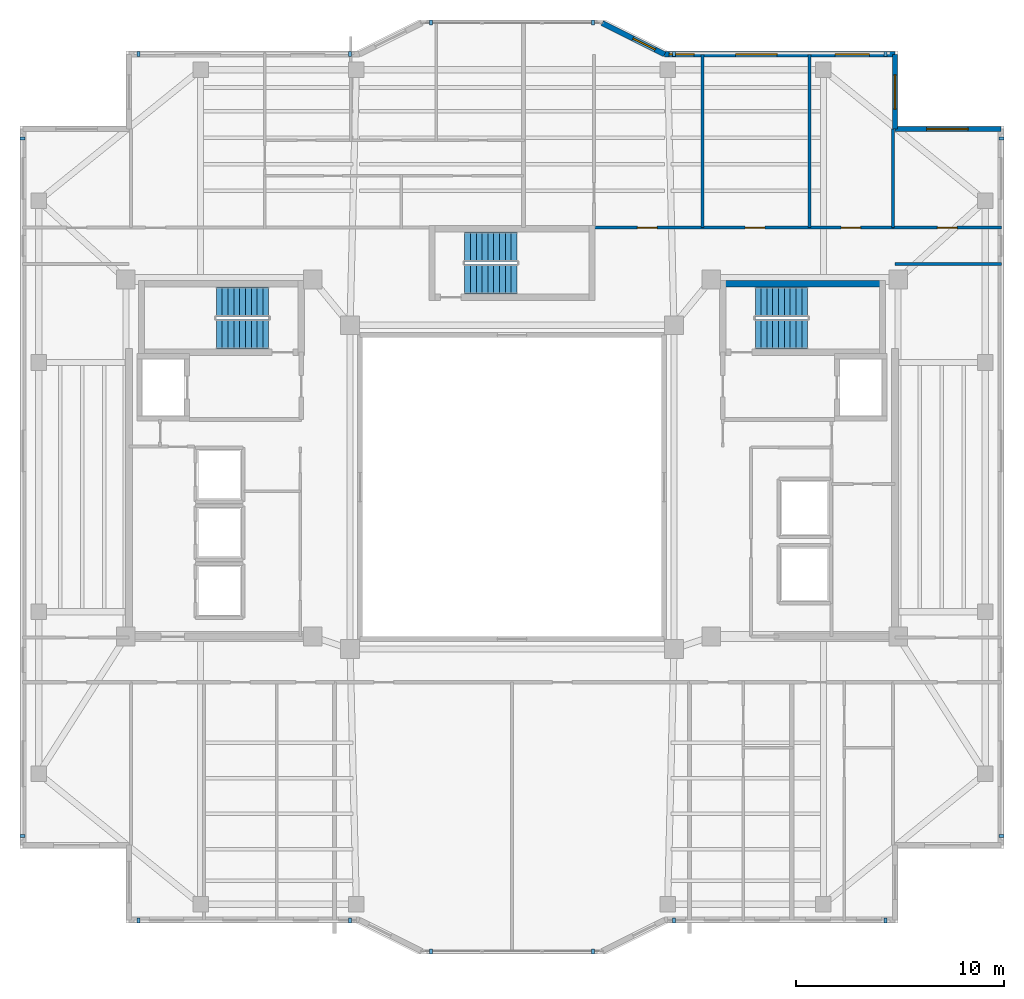
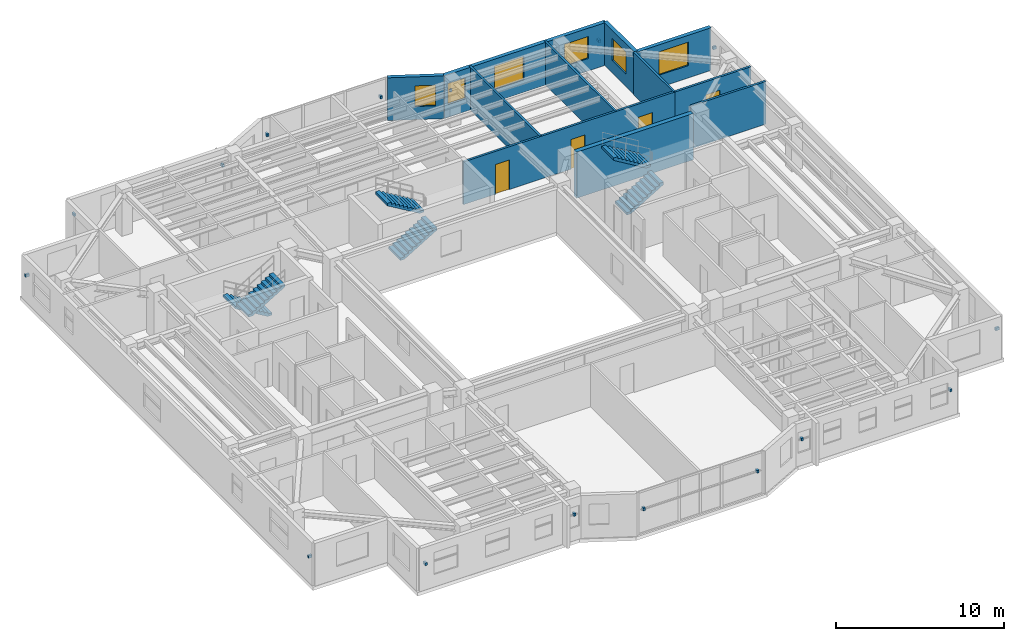
# One storey, part 10 of 13: 16 discrete accessories, 11 walls, 6 stair flights, 6 windows, 4 doors, 10 openings, 3 elements without a shape of their own.
"""IFC4 building model written with IfcOpenShell, lengths in metres."""

from ifc_helpers import new_model, si_unit, direction, frame, frame_2d, origin, origin_2d, place, context, subcontext, project, spatial, polyline, rectangle, outline, extrude, material, layer, layer_set, type_object, element, fill, aggregate, save


model = new_model("IFC4")

# Units and contexts
model_context = context("Model", 3, precision=1e-05, world=origin(), true_north=direction((0.0, 1.0)))
body_context = subcontext(model_context, "Body", "Model", "MODEL_VIEW")
ifc_project = project(units=[si_unit("LENGTHUNIT", "METRE"), si_unit("AREAUNIT", "SQUARE_METRE"), si_unit("VOLUMEUNIT", "CUBIC_METRE"), si_unit("PLANEANGLEUNIT", "RADIAN"), si_unit("MASSUNIT", "GRAM", prefix="KILO")], contexts=[model_context])

# Site, building, storey
site_placement = place(None, origin())
site = spatial("IfcSite", under=ifc_project, at=site_placement, CompositionType="ELEMENT")
building_placement = place(site_placement, origin())
building = spatial("IfcBuilding", under=site, at=building_placement, Name="Tarnavaz Court Tower", CompositionType="ELEMENT")
storey_placement = place(building_placement, frame((0.0, 0.0, 196.949951171875)))
storey = spatial("IfcBuildingStorey", under=building, at=storey_placement, Name="L53", CompositionType="ELEMENT", Elevation=196.949951171875)

# Wall
ifc_material_1 = material(Name="Concrete C50/60", Category="concrete")
ifc_layer_1 = layer(ifc_material_1, 0.300048828125)
ifc_layer_set_1 = layer_set([ifc_layer_1], Name="Concrete C50/60")
wall_type_1 = type_object("IfcWallType", Name="WL-CORE-300-C50", PredefinedType="SHEAR", material=ifc_layer_set_1)
wall_1_placement = place(storey_placement, frame((10.0, 9.7900390625, 0.0), z_axis=(0.0, 0.0, 1.0), x_axis=(1.0, 0.0, 0.0)))
element("IfcWall", 1, at=wall_1_placement, inside=storey, type_object=wall_type_1, Name="L53 East Stair Core Wall 005", PredefinedType="SHEAR", context=body_context, shape_type="SweptSolid", body=[
    extrude(rectangle(XDim=8.0, YDim=0.300048828125, at=frame_2d((4.0, 0.0))), origin(), (0.0, 0.0, 1.0), 3.35009765625),
])

# Wall, opening, window
ifc_material_2 = material(Name="Precast Concrete C40/50", Category="concrete")
ifc_layer_2 = layer(ifc_material_2, 0.260009765625)
ifc_layer_set_2 = layer_set([ifc_layer_2], Name="Precast Concrete C40/50")
wall_type_2 = type_object("IfcWallType", Name="WL-EXT-260", PredefinedType="SOLIDWALL", material=ifc_layer_set_2)
wall_2_placement = place(storey_placement, frame((4.35009765625, 22.35009765625, 0.0), z_axis=(0.0, 0.0, 1.0), x_axis=(0.894427191, -0.4472135955, 0.0)))
wall_2 = element("IfcWall", 2, at=wall_2_placement, inside=storey, type_object=wall_type_2, Name="L53 Exterior Terracotta Facade Wall 08", PredefinedType="SOLIDWALL", context=body_context, shape_type="SweptSolid", body=[
    extrude(rectangle(XDim=3.35400390625, YDim=0.260009765625, at=frame_2d((1.677001953125, 0.0))), origin(), (0.0, 0.0, 1.0), 3.10009765625),
])
opening_1_placement = place(wall_2_placement, frame((1.65283203125, 0.0, 0.949951171875)))
opening_1 = element("IfcOpeningElement", 3, at=opening_1_placement, cuts=wall_2, Name="Opening W05", PredefinedType="OPENING", context=body_context, shape_type="SweptSolid", body=[
    extrude(rectangle(XDim=1.199951171875, YDim=1.5, at=frame_2d((0.60009765625, 0.75))), frame((0.0, 0.139892578125, 0.0), z_axis=(0.0, -1.0, 0.0), x_axis=(1.0, 0.0, 0.0)), (0.0, 0.0, 1.0), 0.280029296875),
])
ifc_material_3 = material(Name="Double-Glazed Solar Low-E Glass", Category="glass")
window_type_1 = type_object("IfcWindowType", Name="WN-APT-1200", PartitioningType="SINGLE_PANEL", PredefinedType="WINDOW", material=ifc_material_3)
window_1_placement = place(opening_1_placement, origin())
window_1 = element("IfcWindow", 4, at=window_1_placement, inside=storey, type_object=window_type_1, Name="L53 Resident Fitness and Yoga Studio Window", OverallHeight=1.5, OverallWidth=1.199951171875, PartitioningType="SINGLE_PANEL", PredefinedType="WINDOW", context=body_context, shape_type="SweptSolid", body=[
    extrude(rectangle(XDim=1.199951171875, YDim=1.5, at=frame_2d((0.60009765625, 0.75))), frame((0.0, 0.030029296875, 0.0), z_axis=(0.0, -1.0, 0.0), x_axis=(1.0, 0.0, 0.0)), (0.0, 0.0, 1.0), 0.06005859375),
])
fill(opening_1, window_1)

# Wall, openings, windows
wall_3_placement = place(storey_placement, frame((7.35009765625, 20.85009765625, 0.0), z_axis=(0.0, 0.0, 1.0), x_axis=(1.0, 0.0, 0.0)))
wall_3 = element("IfcWall", 5, at=wall_3_placement, inside=storey, type_object=wall_type_2, Name="L53 Exterior Terracotta Facade Wall 09", PredefinedType="SOLIDWALL", context=body_context, shape_type="SweptSolid", body=[
    extrude(rectangle(XDim=11.099853515625, YDim=0.260009765625, at=frame_2d((5.5498046875, 0.0))), origin(), (0.0, 0.0, 1.0), 3.10009765625),
])
opening_2_placement = place(wall_3_placement, frame((0.223388671875, 0.0, 0.949951171875)))
opening_2 = element("IfcOpeningElement", 6, at=opening_2_placement, cuts=wall_3, Name="Opening W05", PredefinedType="OPENING", context=body_context, shape_type="SweptSolid", body=[
    extrude(rectangle(XDim=1.199951171875, YDim=1.5, at=frame_2d((0.60009765625, 0.75))), frame((0.0, 0.139892578125, 0.0), z_axis=(0.0, -1.0, 0.0), x_axis=(1.0, 0.0, 0.0)), (0.0, 0.0, 1.0), 0.280029296875),
])
opening_3_placement = place(wall_3_placement, frame((3.419921875, 0.0, 0.89990234375)))
opening_3 = element("IfcOpeningElement", 7, at=opening_3_placement, cuts=wall_3, Name="Opening W08", PredefinedType="OPENING", context=body_context, shape_type="SweptSolid", body=[
    extrude(rectangle(XDim=2.0, YDim=1.699951171875, at=frame_2d((1.0, 0.85009765625))), frame((0.0, 0.139892578125, 0.0), z_axis=(0.0, -1.0, 0.0), x_axis=(1.0, 0.0, 0.0)), (0.0, 0.0, 1.0), 0.280029296875),
])
opening_4_placement = place(wall_3_placement, frame((8.2158203125, 0.0, 0.89990234375)))
opening_4 = element("IfcOpeningElement", 8, at=opening_4_placement, cuts=wall_3, Name="Opening W02", PredefinedType="OPENING", context=body_context, shape_type="SweptSolid", body=[
    extrude(rectangle(XDim=1.64990234375, YDim=1.60009765625, at=frame_2d((0.824951171875, 0.800048828125))), frame((0.0, 0.139892578125, 0.0), z_axis=(0.0, -1.0, 0.0), x_axis=(1.0, 0.0, 0.0)), (0.0, 0.0, 1.0), 0.280029296875),
])
window_2_placement = place(opening_2_placement, origin())
window_2 = element("IfcWindow", 9, at=window_2_placement, inside=storey, type_object=window_type_1, Name="L53 Resident Fitness and Yoga Studio Window", OverallHeight=1.5, OverallWidth=1.199951171875, PartitioningType="SINGLE_PANEL", PredefinedType="WINDOW", context=body_context, shape_type="SweptSolid", body=[
    extrude(rectangle(XDim=1.199951171875, YDim=1.5, at=frame_2d((0.60009765625, 0.75))), frame((0.0, 0.030029296875, 0.0), z_axis=(0.0, -1.0, 0.0), x_axis=(1.0, 0.0, 0.0)), (0.0, 0.0, 1.0), 0.06005859375),
])
fill(opening_2, window_2)
window_type_2 = type_object("IfcWindowType", Name="WN-APT-1650", PartitioningType="DOUBLE_PANEL_VERTICAL", PredefinedType="WINDOW", material=ifc_material_3)
window_3_placement = place(opening_4_placement, origin())
window_3 = element("IfcWindow", 10, at=window_3_placement, inside=storey, type_object=window_type_2, Name="L53 Shared Community Tea Pantry Window", OverallHeight=1.60009765625, OverallWidth=1.64990234375, PartitioningType="SINGLE_PANEL", PredefinedType="WINDOW", context=body_context, shape_type="SweptSolid", body=[
    extrude(rectangle(XDim=1.64990234375, YDim=1.60009765625, at=frame_2d((0.824951171875, 0.800048828125))), frame((0.0, 0.030029296875, 0.0), z_axis=(0.0, -1.0, 0.0), x_axis=(1.0, 0.0, 0.0)), (0.0, 0.0, 1.0), 0.06005859375),
])
fill(opening_4, window_3)
window_type_3 = type_object("IfcWindowType", Name="WN-APT-2000", PartitioningType="DOUBLE_PANEL_VERTICAL", PredefinedType="WINDOW", material=ifc_material_3)
window_4_placement = place(opening_3_placement, origin())
window_4 = element("IfcWindow", 11, at=window_4_placement, inside=storey, type_object=window_type_3, Name="L53 Children Playroom and Daycare Window", OverallHeight=1.699951171875, OverallWidth=2.0, PartitioningType="SINGLE_PANEL", PredefinedType="WINDOW", context=body_context, shape_type="SweptSolid", body=[
    extrude(rectangle(XDim=2.0, YDim=1.699951171875, at=frame_2d((1.0, 0.85009765625))), frame((0.0, 0.030029296875, 0.0), z_axis=(0.0, -1.0, 0.0), x_axis=(1.0, 0.0, 0.0)), (0.0, 0.0, 1.0), 0.06005859375),
])
fill(opening_3, window_4)

# Wall, opening, window
wall_4_placement = place(storey_placement, frame((18.449951171875, 20.85009765625, 0.0), z_axis=(0.0, 0.0, 1.0), x_axis=(0.0, -1.0, 0.0)))
wall_4 = element("IfcWall", 12, at=wall_4_placement, inside=storey, type_object=wall_type_2, Name="L53 Exterior Terracotta Facade Wall 10", PredefinedType="SOLIDWALL", context=body_context, shape_type="SweptSolid", body=[
    extrude(rectangle(XDim=3.60009765625, YDim=0.260009765625, at=frame_2d((1.800048828125, 0.0))), origin(), (0.0, 0.0, 1.0), 3.10009765625),
])
opening_5_placement = place(wall_4_placement, frame((0.992431640625, 0.0, 0.89990234375)))
opening_5 = element("IfcOpeningElement", 13, at=opening_5_placement, cuts=wall_4, Name="Opening W02", PredefinedType="OPENING", context=body_context, shape_type="SweptSolid", body=[
    extrude(rectangle(XDim=1.64990234375, YDim=1.60009765625, at=frame_2d((0.824951171875, 0.800048828125))), frame((0.0, 0.139892578125, 0.0), z_axis=(0.0, -1.0, 0.0), x_axis=(1.0, 0.0, 0.0)), (0.0, 0.0, 1.0), 0.280029296875),
])
window_5_placement = place(opening_5_placement, origin())
window_5 = element("IfcWindow", 14, at=window_5_placement, inside=storey, type_object=window_type_2, Name="L53 Shared Community Tea Pantry Window", OverallHeight=1.60009765625, OverallWidth=1.64990234375, PartitioningType="SINGLE_PANEL", PredefinedType="WINDOW", context=body_context, shape_type="SweptSolid", body=[
    extrude(rectangle(XDim=1.64990234375, YDim=1.60009765625, at=frame_2d((0.824951171875, 0.800048828125))), frame((0.0, 0.030029296875, 0.0), z_axis=(0.0, -1.0, 0.0), x_axis=(1.0, 0.0, 0.0)), (0.0, 0.0, 1.0), 0.06005859375),
])
fill(opening_5, window_5)

wall_5_placement = place(storey_placement, frame((18.449951171875, 17.25, 0.0), z_axis=(0.0, 0.0, 1.0), x_axis=(1.0, 0.0, 0.0)))
wall_5 = element("IfcWall", 15, at=wall_5_placement, inside=storey, type_object=wall_type_2, Name="L53 Exterior Terracotta Facade Wall 11", PredefinedType="SOLIDWALL", context=body_context, shape_type="SweptSolid", body=[
    extrude(rectangle(XDim=5.10009765625, YDim=0.260009765625, at=frame_2d((2.550048828125, 0.0))), origin(), (0.0, 0.0, 1.0), 3.10009765625),
])
opening_6_placement = place(wall_5_placement, frame((1.52490234375, 0.0, 0.89990234375)))
opening_6 = element("IfcOpeningElement", 16, at=opening_6_placement, cuts=wall_5, Name="Opening W08", PredefinedType="OPENING", context=body_context, shape_type="SweptSolid", body=[
    extrude(rectangle(XDim=2.0, YDim=1.699951171875, at=frame_2d((1.0, 0.85009765625))), frame((0.0, 0.139892578125, 0.0), z_axis=(0.0, -1.0, 0.0), x_axis=(1.0, 0.0, 0.0)), (0.0, 0.0, 1.0), 0.280029296875),
])
window_6_placement = place(opening_6_placement, origin())
window_6 = element("IfcWindow", 17, at=window_6_placement, inside=storey, type_object=window_type_3, Name="L53 North-East Corner Sunroom Study Window", OverallHeight=1.699951171875, OverallWidth=2.0, PartitioningType="SINGLE_PANEL", PredefinedType="WINDOW", context=body_context, shape_type="SweptSolid", body=[
    extrude(rectangle(XDim=2.0, YDim=1.699951171875, at=frame_2d((1.0, 0.85009765625))), frame((0.0, 0.030029296875, 0.0), z_axis=(0.0, -1.0, 0.0), x_axis=(1.0, 0.0, 0.0)), (0.0, 0.0, 1.0), 0.06005859375),
])
fill(opening_6, window_6)

# Wall, openings, doors
ifc_material_4 = material(Name="Gypsum Fire-Board on Acoustic Metal Stud", Category="masonry")
ifc_layer_3 = layer(ifc_material_4, 0.14990234375)
ifc_layer_set_3 = layer_set([ifc_layer_3], Name="Gypsum Fire-Board on Acoustic Metal Stud")
wall_type_3 = type_object("IfcWallType", Name="WL-FIRE-150", PredefinedType="PARTITIONING", material=ifc_layer_set_3)
wall_6_placement = place(storey_placement, frame((3.85009765625, 12.5, 0.0), z_axis=(0.0, 0.0, 1.0), x_axis=(1.0, 0.0, 0.0)))
wall_6 = element("IfcWall", 18, at=wall_6_placement, inside=storey, type_object=wall_type_3, Name="L53 NE Wing Corridor Wall 061", PredefinedType="PARTITIONING", context=body_context, shape_type="SweptSolid", body=[
    extrude(rectangle(XDim=14.5, YDim=0.14990234375, at=frame_2d((7.25, 0.0))), origin(), (0.0, 0.0, 1.0), 3.10009765625),
])
opening_7_placement = place(wall_6_placement, frame((2.18603515625, 0.0, 0.0)))
opening_7 = element("IfcOpeningElement", 19, at=opening_7_placement, cuts=wall_6, Name="Opening D13", PredefinedType="OPENING", context=body_context, shape_type="SweptSolid", body=[
    extrude(rectangle(XDim=0.949951171875, YDim=2.14990234375, at=frame_2d((0.47509765625, 1.074951171875))), frame((0.0, 0.0849609375, 0.0), z_axis=(0.0, -1.0, 0.0), x_axis=(1.0, 0.0, 0.0)), (0.0, 0.0, 1.0), 0.169921875),
])
opening_8_placement = place(wall_6_placement, frame((7.37890625, 0.0, 0.0)))
opening_8 = element("IfcOpeningElement", 20, at=opening_8_placement, cuts=wall_6, Name="Opening D13", PredefinedType="OPENING", context=body_context, shape_type="SweptSolid", body=[
    extrude(rectangle(XDim=0.949951171875, YDim=2.14990234375, at=frame_2d((0.47509765625, 1.074951171875))), frame((0.0, 0.0849609375, 0.0), z_axis=(0.0, -1.0, 0.0), x_axis=(1.0, 0.0, 0.0)), (0.0, 0.0, 1.0), 0.169921875),
])
opening_9_placement = place(wall_6_placement, frame((11.998046875, 0.0, 0.0)))
opening_9 = element("IfcOpeningElement", 21, at=opening_9_placement, cuts=wall_6, Name="Opening D13", PredefinedType="OPENING", context=body_context, shape_type="SweptSolid", body=[
    extrude(rectangle(XDim=0.949951171875, YDim=2.14990234375, at=frame_2d((0.47509765625, 1.074951171875))), frame((0.0, 0.0849609375, 0.0), z_axis=(0.0, -1.0, 0.0), x_axis=(1.0, 0.0, 0.0)), (0.0, 0.0, 1.0), 0.169921875),
])
ifc_material_5 = material(Name="Engineered Oak Timber", Category="wood")
door_type = type_object("IfcDoorType", Name="DR-INT-950", OperationType="NOTDEFINED", PredefinedType="DOOR", material=ifc_material_5)
door_1_placement = place(opening_7_placement, origin())
door_1 = element("IfcDoor", 22, at=door_1_placement, inside=storey, type_object=door_type, Name="L53 Resident Fitness and Yoga Studio Door", OperationType="SINGLE_SWING_LEFT", OverallHeight=2.14990234375, OverallWidth=0.949951171875, PredefinedType="DOOR", context=body_context, shape_type="SweptSolid", body=[
    extrude(rectangle(XDim=0.949951171875, YDim=2.14990234375, at=frame_2d((0.47509765625, 1.074951171875))), frame((0.0, 0.02490234375, 0.0), z_axis=(0.0, -1.0, 0.0), x_axis=(1.0, 0.0, 0.0)), (0.0, 0.0, 1.0), 0.050048828125),
])
fill(opening_7, door_1)
door_2_placement = place(opening_8_placement, origin())
door_2 = element("IfcDoor", 23, at=door_2_placement, inside=storey, type_object=door_type, Name="L53 Children Playroom and Daycare Door", OperationType="SINGLE_SWING_RIGHT", OverallHeight=2.14990234375, OverallWidth=0.949951171875, PredefinedType="DOOR", context=body_context, shape_type="SweptSolid", body=[
    extrude(rectangle(XDim=0.949951171875, YDim=2.14990234375, at=frame_2d((0.47509765625, 1.074951171875))), frame((0.0, 0.02490234375, 0.0), z_axis=(0.0, -1.0, 0.0), x_axis=(1.0, 0.0, 0.0)), (0.0, 0.0, 1.0), 0.050048828125),
])
fill(opening_8, door_2)
door_3_placement = place(opening_9_placement, origin())
door_3 = element("IfcDoor", 24, at=door_3_placement, inside=storey, type_object=door_type, Name="L53 Shared Community Tea Pantry Door", OperationType="SINGLE_SWING_LEFT", OverallHeight=2.14990234375, OverallWidth=0.949951171875, PredefinedType="DOOR", context=body_context, shape_type="SweptSolid", body=[
    extrude(rectangle(XDim=0.949951171875, YDim=2.14990234375, at=frame_2d((0.47509765625, 1.074951171875))), frame((0.0, 0.02490234375, 0.0), z_axis=(0.0, -1.0, 0.0), x_axis=(1.0, 0.0, 0.0)), (0.0, 0.0, 1.0), 0.050048828125),
])
fill(opening_9, door_3)

# Wall
wall_7_placement = place(storey_placement, frame((18.449951171875, 10.75, 0.0), z_axis=(0.0, 0.0, 1.0), x_axis=(1.0, 0.0, 0.0)))
element("IfcWall", 25, at=wall_7_placement, inside=storey, type_object=wall_type_3, Name="L53 Interior Partition 091", PredefinedType="PARTITIONING", context=body_context, shape_type="SweptSolid", body=[
    extrude(rectangle(XDim=5.130126953125, YDim=0.14990234375, at=frame_2d((2.56494140625, 0.0))), origin(), (0.0, 0.0, 1.0), 3.10009765625),
])

# Wall, opening, door
wall_8_placement = place(storey_placement, frame((18.35009765625, 12.5, 0.0), z_axis=(0.0, 0.0, 1.0), x_axis=(1.0, 0.0, 0.0)))
wall_8 = element("IfcWall", 26, at=wall_8_placement, inside=storey, type_object=wall_type_3, Name="L53 Interior Partition 097", PredefinedType="PARTITIONING", context=body_context, shape_type="SweptSolid", body=[
    extrude(rectangle(XDim=5.22998046875, YDim=0.14990234375, at=frame_2d((2.614990234375, 0.0))), origin(), (0.0, 0.0, 1.0), 3.10009765625),
])
opening_10_placement = place(wall_8_placement, frame((2.139892578125, 0.0, 0.0)))
opening_10 = element("IfcOpeningElement", 27, at=opening_10_placement, cuts=wall_8, Name="Opening D13", PredefinedType="OPENING", context=body_context, shape_type="SweptSolid", body=[
    extrude(rectangle(XDim=0.949951171875, YDim=2.14990234375, at=frame_2d((0.47509765625, 1.074951171875))), frame((0.0, 0.0849609375, 0.0), z_axis=(0.0, -1.0, 0.0), x_axis=(1.0, 0.0, 0.0)), (0.0, 0.0, 1.0), 0.169921875),
])
door_4_placement = place(opening_10_placement, origin())
door_4 = element("IfcDoor", 28, at=door_4_placement, inside=storey, type_object=door_type, Name="L53 NE Sunroom Door", OperationType="SINGLE_SWING_LEFT", OverallHeight=2.14990234375, OverallWidth=0.949951171875, PredefinedType="DOOR", context=body_context, shape_type="SweptSolid", body=[
    extrude(rectangle(XDim=0.949951171875, YDim=2.14990234375, at=frame_2d((0.47509765625, 1.074951171875))), frame((0.0, 0.02490234375, 0.0), z_axis=(0.0, -1.0, 0.0), x_axis=(1.0, 0.0, 0.0)), (0.0, 0.0, 1.0), 0.050048828125),
])
fill(opening_10, door_4)

# Walls
ifc_material_6 = material(Name="Gypsum Plasterboard Acoustic Partition", Category="masonry")
ifc_layer_4 = layer(ifc_material_6, 0.139892578125)
ifc_layer_set_4 = layer_set([ifc_layer_4], Name="Gypsum Plasterboard Acoustic Partition")
wall_type_4 = type_object("IfcWallType", Name="WL-PART-150", PredefinedType="PARTITIONING", material=ifc_layer_set_4)
for number, where, z_axis, x_axis, name in (
    (29, (9.172119140625, 12.5, 0.0), (0.0, 0.0, 1.0), (0.0, 1.0, 0.0), "L53 Interior Partition 073"),
    (30, (14.3349609375, 12.5, 0.0), (0.0, 0.0, 1.0), (0.0, 1.0, 0.0), "L53 Interior Partition 074"),
):
    element("IfcWall", number, at=place(storey_placement, frame(where, z_axis=z_axis, x_axis=x_axis)), inside=storey, type_object=wall_type_4, Name=name, PredefinedType="PARTITIONING", context=body_context, shape_type="SweptSolid", body=[
        extrude(rectangle(XDim=8.35009765625, YDim=0.139892578125, at=frame_2d((4.175048828125, 0.0))), origin(), (0.0, 0.0, 1.0), 3.10009765625),
    ])
wall_9_placement = place(storey_placement, frame((18.35009765625, 12.5, 0.0), z_axis=(0.0, 0.0, 1.0), x_axis=(0.0, 1.0, 0.0)))
element("IfcWall", 31, at=wall_9_placement, inside=storey, type_object=wall_type_4, Name="L53 Interior Partition 095", PredefinedType="PARTITIONING", context=body_context, shape_type="SweptSolid", body=[
    extrude(rectangle(XDim=4.75, YDim=0.139892578125, at=frame_2d((2.375, 0.0))), origin(), (0.0, 0.0, 1.0), 3.10009765625),
])

# Stair, stair flights
ifc_material_7 = material(Name="Concrete C40/50", Category="concrete")
stair_type = type_object("IfcStairType", Name="ST-TWR-20R", PredefinedType="HALF_TURN_STAIR", material=ifc_material_7)
stair_1_placement = place(storey_placement, origin())
stair_1 = element("IfcStair", 32, at=stair_1_placement, inside=storey, type_object=stair_type, Name="L53 West Core Pressurized Exit Stair ST-W1", PredefinedType="HALF_TURN_STAIR")
stair_flight_type = type_object("IfcStairFlightType", Name="SFL-RC-20R", PredefinedType="STRAIGHT", material=ifc_material_7)
stair_flight_1_placement = place(storey_placement, frame((-11.719970703125, 8.929931640625, 0.0), z_axis=(0.0, 0.0, 1.0), x_axis=(-1.0, 0.0, 0.0)))
stair_flight_1 = element("IfcStairFlight", 33, at=stair_flight_1_placement, type_object=stair_flight_type, Name="ST-W1 flight 1", NumberOfRisers=10, NumberOfTreads=9, PredefinedType="STRAIGHT", RiserHeight=0.1675, TreadLength=0.28, context=body_context, shape_type="SweptSolid", body=[
    extrude(outline(polyline([(0.0, 0.0), (0.0, 0.16748046875), (0.280029296875, 0.16748046875), (0.280029296875, 0.3349609375), (0.56005859375, 0.3349609375), (0.56005859375, 0.50244140625), (0.840087890625, 0.50244140625), (0.840087890625, 0.669921875), (1.1201171875, 0.669921875), (1.1201171875, 0.83740234375), (1.39990234375, 0.83740234375), (1.39990234375, 1.0048828125), (1.679931640625, 1.0048828125), (1.679931640625, 1.172607421875), (1.9599609375, 1.172607421875), (1.9599609375, 1.340087890625), (2.239990234375, 1.340087890625), (2.239990234375, 1.507568359375), (2.52001953125, 1.507568359375), (2.52001953125, 1.675048828125), (2.52001953125, 1.332763671875), (0.2919921875, 0.0), (0.0, 0.0)])), frame((0.0, 0.7099609375, 0.0), z_axis=(0.0, -1.0, 0.0), x_axis=(1.0, 0.0, 0.0)), (0.0, 0.0, 1.0), 1.419921875),
])
stair_flight_2_placement = place(storey_placement, frame((-14.239990234375, 7.360107421875, 1.675048828125), z_axis=(0.0, 0.0, 1.0), x_axis=(1.0, 0.0, 0.0)))
stair_flight_2 = element("IfcStairFlight", 34, at=stair_flight_2_placement, type_object=stair_flight_type, Name="ST-W1 flight 2", NumberOfRisers=10, NumberOfTreads=9, PredefinedType="STRAIGHT", RiserHeight=0.1675, TreadLength=0.28, context=body_context, shape_type="SweptSolid", body=[
    extrude(outline(polyline([(0.0, 0.0), (0.0, 0.16748046875), (0.280029296875, 0.16748046875), (0.280029296875, 0.3349609375), (0.56005859375, 0.3349609375), (0.56005859375, 0.50244140625), (0.840087890625, 0.50244140625), (0.840087890625, 0.669921875), (1.1201171875, 0.669921875), (1.1201171875, 0.83740234375), (1.39990234375, 0.83740234375), (1.39990234375, 1.0048828125), (1.679931640625, 1.0048828125), (1.679931640625, 1.172607421875), (1.9599609375, 1.172607421875), (1.9599609375, 1.340087890625), (2.239990234375, 1.340087890625), (2.239990234375, 1.507568359375), (2.52001953125, 1.507568359375), (2.52001953125, 1.675048828125), (2.52001953125, 1.332763671875), (0.2919921875, 0.0), (0.0, 0.0)])), frame((0.0, 0.7099609375, 0.0), z_axis=(0.0, -1.0, 0.0), x_axis=(1.0, 0.0, 0.0)), (0.0, 0.0, 1.0), 1.419921875),
])
aggregate(stair_1, [stair_flight_1, stair_flight_2])

stair_2_placement = place(storey_placement, origin())
stair_2 = element("IfcStair", 35, at=stair_2_placement, inside=storey, type_object=stair_type, Name="L53 East Core Pressurized Exit Stair ST-E1", PredefinedType="HALF_TURN_STAIR")
stair_flight_3_placement = place(storey_placement, frame((11.719970703125, 7.360107421875, 0.0), z_axis=(0.0, 0.0, 1.0), x_axis=(1.0, 0.0, 0.0)))
stair_flight_3 = element("IfcStairFlight", 36, at=stair_flight_3_placement, type_object=stair_flight_type, Name="ST-E1 flight 1", NumberOfRisers=10, NumberOfTreads=9, PredefinedType="STRAIGHT", RiserHeight=0.1675, TreadLength=0.28, context=body_context, shape_type="SweptSolid", body=[
    extrude(outline(polyline([(0.0, 0.0), (0.0, 0.16748046875), (0.280029296875, 0.16748046875), (0.280029296875, 0.3349609375), (0.56005859375, 0.3349609375), (0.56005859375, 0.50244140625), (0.840087890625, 0.50244140625), (0.840087890625, 0.669921875), (1.1201171875, 0.669921875), (1.1201171875, 0.83740234375), (1.39990234375, 0.83740234375), (1.39990234375, 1.0048828125), (1.679931640625, 1.0048828125), (1.679931640625, 1.172607421875), (1.9599609375, 1.172607421875), (1.9599609375, 1.340087890625), (2.239990234375, 1.340087890625), (2.239990234375, 1.507568359375), (2.52001953125, 1.507568359375), (2.52001953125, 1.675048828125), (2.52001953125, 1.332763671875), (0.2919921875, 0.0), (0.0, 0.0)])), frame((0.0, 0.7099609375, 0.0), z_axis=(0.0, -1.0, 0.0), x_axis=(1.0, 0.0, 0.0)), (0.0, 0.0, 1.0), 1.419921875),
])
stair_flight_4_placement = place(storey_placement, frame((14.239990234375, 8.929931640625, 1.675048828125), z_axis=(0.0, 0.0, 1.0), x_axis=(-1.0, 0.0, 0.0)))
stair_flight_4 = element("IfcStairFlight", 37, at=stair_flight_4_placement, type_object=stair_flight_type, Name="ST-E1 flight 2", NumberOfRisers=10, NumberOfTreads=9, PredefinedType="STRAIGHT", RiserHeight=0.1675, TreadLength=0.28, context=body_context, shape_type="SweptSolid", body=[
    extrude(outline(polyline([(0.0, 0.0), (0.0, 0.16748046875), (0.280029296875, 0.16748046875), (0.280029296875, 0.3349609375), (0.56005859375, 0.3349609375), (0.56005859375, 0.50244140625), (0.840087890625, 0.50244140625), (0.840087890625, 0.669921875), (1.1201171875, 0.669921875), (1.1201171875, 0.83740234375), (1.39990234375, 0.83740234375), (1.39990234375, 1.0048828125), (1.679931640625, 1.0048828125), (1.679931640625, 1.172607421875), (1.9599609375, 1.172607421875), (1.9599609375, 1.340087890625), (2.239990234375, 1.340087890625), (2.239990234375, 1.507568359375), (2.52001953125, 1.507568359375), (2.52001953125, 1.675048828125), (2.52001953125, 1.332763671875), (0.2919921875, 0.0), (0.0, 0.0)])), frame((0.0, 0.7099609375, 0.0), z_axis=(0.0, -1.0, 0.0), x_axis=(1.0, 0.0, 0.0)), (0.0, 0.0, 1.0), 1.419921875),
])
aggregate(stair_2, [stair_flight_3, stair_flight_4])

stair_3_placement = place(storey_placement, origin())
stair_3 = element("IfcStair", 38, at=stair_3_placement, inside=storey, type_object=stair_type, Name="L53 North Ring Pressurized Exit Stair ST-N1", PredefinedType="HALF_TURN_STAIR")
stair_flight_5_placement = place(storey_placement, frame((-2.280029296875, 10.010009765625, 0.0), z_axis=(0.0, 0.0, 1.0), x_axis=(1.0, 0.0, 0.0)))
stair_flight_5 = element("IfcStairFlight", 39, at=stair_flight_5_placement, type_object=stair_flight_type, Name="ST-N1 flight 1", NumberOfRisers=10, NumberOfTreads=9, PredefinedType="STRAIGHT", RiserHeight=0.1675, TreadLength=0.28, context=body_context, shape_type="SweptSolid", body=[
    extrude(outline(polyline([(0.0, 0.0), (0.0, 0.16748046875), (0.280029296875, 0.16748046875), (0.280029296875, 0.3349609375), (0.56005859375, 0.3349609375), (0.56005859375, 0.50244140625), (0.840087890625, 0.50244140625), (0.840087890625, 0.669921875), (1.1201171875, 0.669921875), (1.1201171875, 0.83740234375), (1.39990234375, 0.83740234375), (1.39990234375, 1.0048828125), (1.679931640625, 1.0048828125), (1.679931640625, 1.172607421875), (1.9599609375, 1.172607421875), (1.9599609375, 1.340087890625), (2.239990234375, 1.340087890625), (2.239990234375, 1.507568359375), (2.52001953125, 1.507568359375), (2.52001953125, 1.675048828125), (2.52001953125, 1.332763671875), (0.2919921875, 0.0), (0.0, 0.0)])), frame((0.0, 0.7099609375, 0.0), z_axis=(0.0, -1.0, 0.0), x_axis=(1.0, 0.0, 0.0)), (0.0, 0.0, 1.0), 1.419921875),
])
stair_flight_6_placement = place(storey_placement, frame((0.239990234375, 11.580078125, 1.675048828125), z_axis=(0.0, 0.0, 1.0), x_axis=(-1.0, 0.0, 0.0)))
stair_flight_6 = element("IfcStairFlight", 40, at=stair_flight_6_placement, type_object=stair_flight_type, Name="ST-N1 flight 2", NumberOfRisers=10, NumberOfTreads=9, PredefinedType="STRAIGHT", RiserHeight=0.1675, TreadLength=0.28, context=body_context, shape_type="SweptSolid", body=[
    extrude(outline(polyline([(0.0, 0.0), (0.0, 0.16748046875), (0.280029296875, 0.16748046875), (0.280029296875, 0.3349609375), (0.56005859375, 0.3349609375), (0.56005859375, 0.50244140625), (0.840087890625, 0.50244140625), (0.840087890625, 0.669921875), (1.1201171875, 0.669921875), (1.1201171875, 0.83740234375), (1.39990234375, 0.83740234375), (1.39990234375, 1.0048828125), (1.679931640625, 1.0048828125), (1.679931640625, 1.172607421875), (1.9599609375, 1.172607421875), (1.9599609375, 1.340087890625), (2.239990234375, 1.340087890625), (2.239990234375, 1.507568359375), (2.52001953125, 1.507568359375), (2.52001953125, 1.675048828125), (2.52001953125, 1.332763671875), (0.2919921875, 0.0), (0.0, 0.0)])), frame((0.0, 0.7099609375, 0.0), z_axis=(0.0, -1.0, 0.0), x_axis=(1.0, 0.0, 0.0)), (0.0, 0.0, 1.0), 1.419921875),
])
aggregate(stair_3, [stair_flight_5, stair_flight_6])

# Discrete accessories
ifc_material_8 = material(Name="Anodised Aluminium 6063-T6", Category="aluminium")
discrete_accessory_type = type_object("IfcDiscreteAccessoryType", Name="DA-BRKT-ALU", PredefinedType="BRACKET", material=ifc_material_8)
for number, where, z_axis, x_axis, name in (
    (41, (-23.570068359375, -16.800048828125, 1.75), (0.0, 0.0, 1.0), (0.0, 1.0, 0.0), "L53 Baguette Outrigger Bracket FBG02-1"),
    (42, (-23.570068359375, 16.800048828125, 1.75), (0.0, 0.0, 1.0), (0.0, 1.0, 0.0), "L53 Baguette Outrigger Bracket FBG02-2"),
    (43, (-18.0, 20.8701171875, 1.75), (0.0, 0.0, 1.0), (1.0, 0.0, 0.0), "L53 Baguette Outrigger Bracket FBG05-1"),
    (44, (-7.800048828125, 20.8701171875, 1.75), (0.0, 0.0, 1.0), (1.0, 0.0, 0.0), "L53 Baguette Outrigger Bracket FBG05-2"),
    (45, (-3.89990234375, 22.3701171875, 1.7001953125), (0.0, 0.0, 1.0), (1.0, 0.0, 0.0), "L53 Baguette Outrigger Bracket PBG7-1"),
    (46, (3.89990234375, 22.3701171875, 1.7001953125), (0.0, 0.0, 1.0), (1.0, 0.0, 0.0), "L53 Baguette Outrigger Bracket PBG7-2"),
    (47, (7.800048828125, 20.8701171875, 1.75), (0.0, 0.0, 1.0), (1.0, 0.0, 0.0), "L53 Baguette Outrigger Bracket FBG09-1"),
    (48, (18.0, 20.8701171875, 1.75), (0.0, 0.0, 1.0), (1.0, 0.0, 0.0), "L53 Baguette Outrigger Bracket FBG09-2"),
    (49, (23.570068359375, 16.800048828125, 1.75), (0.0, 0.0, 1.0), (0.0, -1.0, 0.0), "L53 Baguette Outrigger Bracket FBG12-1"),
    (50, (23.570068359375, -16.800048828125, 1.75), (0.0, 0.0, 1.0), (0.0, -1.0, 0.0), "L53 Baguette Outrigger Bracket FBG12-2"),
    (51, (18.0, -20.8701171875, 1.75), (0.0, 0.0, 1.0), (-1.0, 0.0, 0.0), "L53 Baguette Outrigger Bracket FBG15-1"),
    (52, (7.800048828125, -20.8701171875, 1.75), (0.0, 0.0, 1.0), (-1.0, 0.0, 0.0), "L53 Baguette Outrigger Bracket FBG15-2"),
    (53, (3.89990234375, -22.3701171875, 1.7001953125), (0.0, 0.0, 1.0), (-1.0, 0.0, 0.0), "L53 Baguette Outrigger Bracket PBG17-1"),
    (54, (-3.89990234375, -22.3701171875, 1.7001953125), (0.0, 0.0, 1.0), (-1.0, 0.0, 0.0), "L53 Baguette Outrigger Bracket PBG17-2"),
    (55, (-7.800048828125, -20.8701171875, 1.75), (0.0, 0.0, 1.0), (-1.0, 0.0, 0.0), "L53 Baguette Outrigger Bracket FBG19-1"),
    (56, (-18.0, -20.8701171875, 1.75), (0.0, 0.0, 1.0), (-1.0, 0.0, 0.0), "L53 Baguette Outrigger Bracket FBG19-2"),
):
    element("IfcDiscreteAccessory", number, at=place(storey_placement, frame(where, z_axis=z_axis, x_axis=x_axis)), inside=storey, type_object=discrete_accessory_type, Name=name, PredefinedType="BRACKET", context=body_context, shape_type="SweptSolid", body=[
        extrude(rectangle(XDim=0.139892578125, YDim=0.239990234375, at=origin_2d()), origin(), (0.0, 0.0, 1.0), 0.199951171875),
    ])

save(model, "model.ifc")
